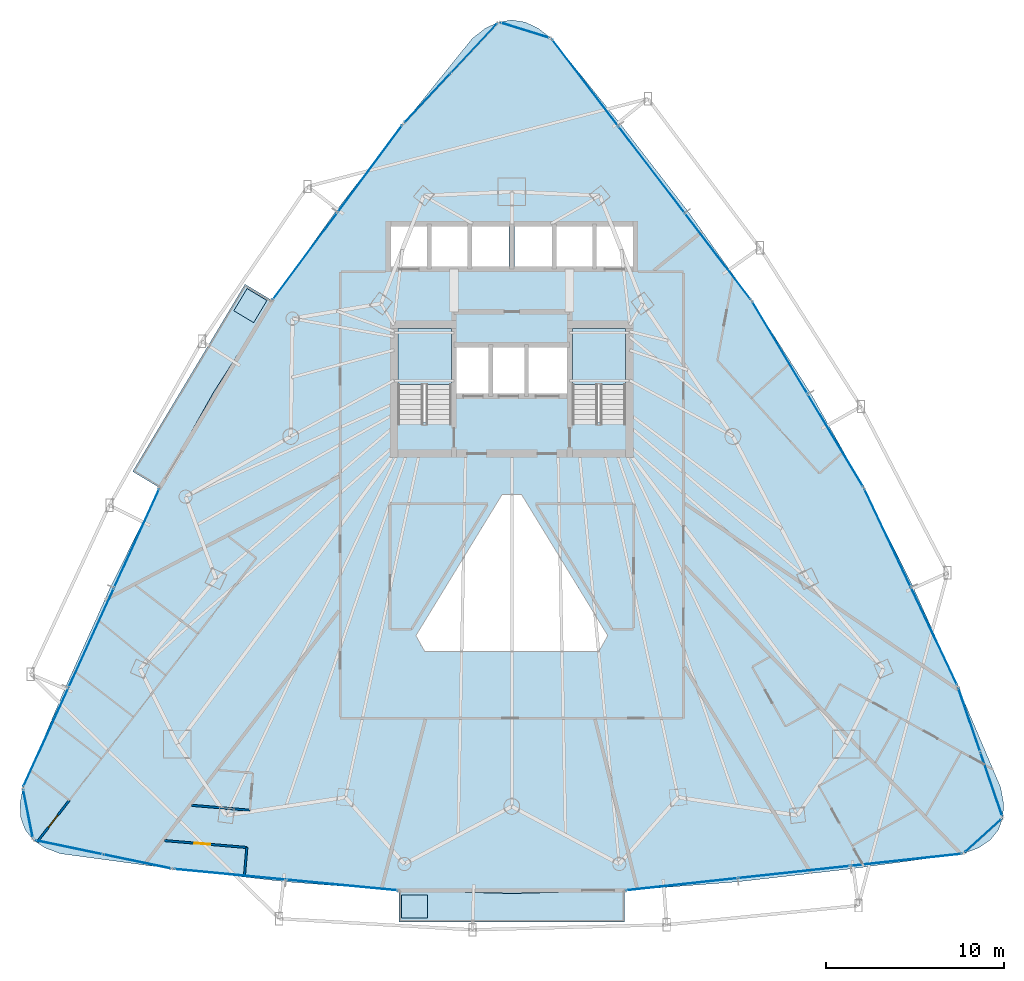
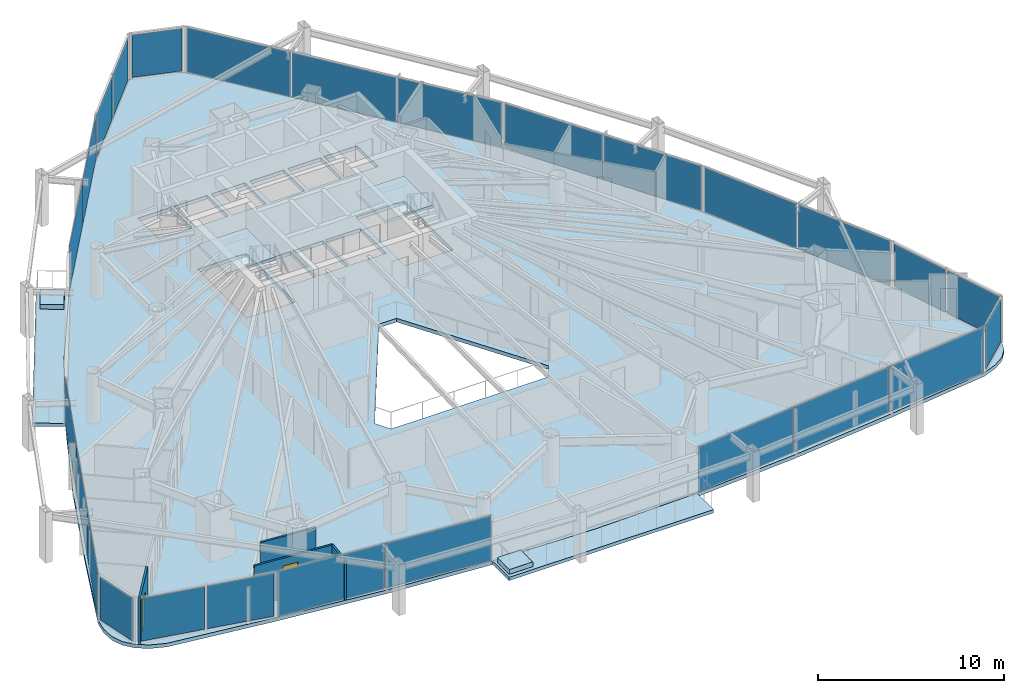
# One storey, part 28 of 34: 26 plates, 7 slabs, 4 walls, 2 doors, 2 openings, 15 elements without a shape of their own.
"""IFC4 building model written with IfcOpenShell, lengths in metres."""

from ifc_helpers import new_model, si_unit, direction, frame, frame_2d, origin, origin_2d, place, context, subcontext, project, spatial, polyline, rectangle, outline, extrude, material, layer, layer_set, type_object, element, fill, aggregate, save


model = new_model("IFC4")

# Units and contexts
model_context = context("Model", 3, precision=1e-05, world=origin(), true_north=direction((0.0, 1.0)))
body_context = subcontext(model_context, "Body", "Model", "MODEL_VIEW")
ifc_project = project(units=[si_unit("LENGTHUNIT", "METRE"), si_unit("AREAUNIT", "SQUARE_METRE"), si_unit("VOLUMEUNIT", "CUBIC_METRE"), si_unit("PLANEANGLEUNIT", "RADIAN"), si_unit("MASSUNIT", "GRAM", prefix="KILO")], contexts=[model_context])

# Site, building, storey
site_placement = place(None, origin())
site = spatial("IfcSite", under=ifc_project, at=site_placement, CompositionType="ELEMENT")
building_placement = place(site_placement, origin())
building = spatial("IfcBuilding", under=site, at=building_placement, Name="Orvanel Arch Residences", CompositionType="ELEMENT")
storey_placement = place(building_placement, frame((0.0, 0.0, 77.449951171875)))
storey = spatial("IfcBuildingStorey", under=building, at=storey_placement, Name="L21", CompositionType="ELEMENT", Elevation=77.449951171875)

# Curtain wall, plates
ifc_material_1 = material(Name="Bronze-anodised aluminium AA6063-T6", Category="aluminium")
ifc_layer_1 = layer(ifc_material_1, 0.179931640625)
ifc_layer_set_1 = layer_set([ifc_layer_1], Name="Bronze-anodised aluminium AA6063-T6")
curtain_wall_type_1 = type_object("IfcCurtainWallType", Name="CW2-LOW-SYS", PredefinedType="NOTDEFINED", material=ifc_layer_set_1)
curtain_wall_1_placement = place(storey_placement, origin())
curtain_wall_1 = element("IfcCurtainWall", 1, at=curtain_wall_1_placement, inside=storey, type_object=curtain_wall_type_1, Name="L21 CW2-LOW-SYS Unitised Curtain Wall", PredefinedType="NOTDEFINED")
ifc_material_2 = material(Name="Double-glazed solar-control low-E safety glass", Category="glass")
ifc_layer_2 = layer(ifc_material_2, 0.028076171875)
ifc_layer_set_2 = layer_set([ifc_layer_2], Name="Double-glazed solar-control low-E safety glass")
plate_type_1 = type_object("IfcPlateType", Name="PNL-GLZ-28", PredefinedType="CURTAIN_PANEL", material=ifc_layer_set_2)
plate_1_placement = place(storey_placement, frame((25.026611328125, 42.693359375, 0.06005859375), z_axis=(0.0, 0.0, 1.0), x_axis=(-0.596168298343, -0.802859489606, 0.0)))
plate_1 = element("IfcPlate", 2, at=plate_1_placement, type_object=plate_type_1, Name="CW-S2 panel 1.1", PredefinedType="CURTAIN_PANEL", context=body_context, shape_type="SweptSolid", body=[
    extrude(rectangle(XDim=6.044189453125, YDim=0.028076171875, at=origin_2d()), origin(), (0.0, 0.0, 1.0), 2.93994140625),
])
plate_2_placement = place(storey_placement, frame((21.38134765625, 37.78466796875, 0.06005859375), z_axis=(0.0, 0.0, 1.0), x_axis=(-0.596168298343, -0.802859489606, 0.0)))
plate_2 = element("IfcPlate", 3, at=plate_2_placement, type_object=plate_type_1, Name="CW-S2 panel 2.1", PredefinedType="CURTAIN_PANEL", context=body_context, shape_type="SweptSolid", body=[
    extrude(rectangle(XDim=6.044189453125, YDim=0.028076171875, at=origin_2d()), origin(), (0.0, 0.0, 1.0), 2.93994140625),
])
aggregate(curtain_wall_1, [plate_1, plate_2])

curtain_wall_2_placement = place(storey_placement, origin())
curtain_wall_2 = element("IfcCurtainWall", 4, at=curtain_wall_2_placement, inside=storey, type_object=curtain_wall_type_1, Name="L21 CW2-LOW-SYS Unitised Curtain Wall", PredefinedType="NOTDEFINED")
plate_3_placement = place(storey_placement, frame((11.9140625, 21.91796875, 0.06005859375), z_axis=(0.0, 0.0, 1.0), x_axis=(-0.415447967434, -0.909616944848, 0.0)))
plate_3 = element("IfcPlate", 5, at=plate_3_placement, type_object=plate_type_1, Name="CW-S2 panel 1.1", PredefinedType="CURTAIN_PANEL", context=body_context, shape_type="SweptSolid", body=[
    extrude(rectangle(XDim=6.060302734375, YDim=0.028076171875, at=origin_2d()), origin(), (0.0, 0.0, 1.0), 2.93994140625),
])
plate_4_placement = place(storey_placement, frame((9.360107421875, 16.325927734375, 0.06005859375), z_axis=(0.0, 0.0, 1.0), x_axis=(-0.415447967434, -0.909616944848, 0.0)))
plate_4 = element("IfcPlate", 6, at=plate_4_placement, type_object=plate_type_1, Name="CW-S2 panel 2.1", PredefinedType="CURTAIN_PANEL", context=body_context, shape_type="SweptSolid", body=[
    extrude(rectangle(XDim=6.09521484375, YDim=0.028076171875, at=origin_2d()), origin(), (0.0, 0.0, 1.0), 2.93994140625),
])
plate_5_placement = place(storey_placement, frame((6.805908203125, 10.73388671875, 0.06005859375), z_axis=(0.0, 0.0, 1.0), x_axis=(-0.415447967434, -0.909616944848, 0.0)))
plate_5 = element("IfcPlate", 7, at=plate_5_placement, type_object=plate_type_1, Name="CW-S2 panel 3.1", PredefinedType="CURTAIN_PANEL", context=body_context, shape_type="SweptSolid", body=[
    extrude(rectangle(XDim=6.060302734375, YDim=0.028076171875, at=origin_2d()), origin(), (0.0, 0.0, 1.0), 2.93994140625),
])
aggregate(curtain_wall_2, [plate_3, plate_4, plate_5])

curtain_wall_3_placement = place(storey_placement, origin())
curtain_wall_3 = element("IfcCurtainWall", 8, at=curtain_wall_3_placement, inside=storey, type_object=curtain_wall_type_1, Name="L21 CW2-LOW-SYS Unitised Curtain Wall", PredefinedType="NOTDEFINED")
plate_6_placement = place(storey_placement, frame((17.158203125, 3.0244140625, 0.06005859375), z_axis=(0.0, 0.0, 1.0), x_axis=(0.995474944009, -0.095024396079, 0.0)))
plate_6 = element("IfcPlate", 9, at=plate_6_placement, type_object=plate_type_1, Name="CW-S2 panel 1.1", PredefinedType="CURTAIN_PANEL", context=body_context, shape_type="SweptSolid", body=[
    extrude(rectangle(XDim=6.251220703125, YDim=0.028076171875, at=origin_2d()), origin(), (0.0, 0.0, 1.0), 2.93994140625),
])
plate_7_placement = place(storey_placement, frame((23.450927734375, 2.423583984375, 0.06005859375), z_axis=(0.0, 0.0, 1.0), x_axis=(0.995474944009, -0.095024396079, 0.0)))
plate_7 = element("IfcPlate", 10, at=plate_7_placement, type_object=plate_type_1, Name="CW-S2 panel 2.1", PredefinedType="CURTAIN_PANEL", context=body_context, shape_type="SweptSolid", body=[
    extrude(rectangle(XDim=6.251220703125, YDim=0.028076171875, at=origin_2d()), origin(), (0.0, 0.0, 1.0), 2.93994140625),
])
aggregate(curtain_wall_3, [plate_6, plate_7])

curtain_wall_4_placement = place(storey_placement, origin())
curtain_wall_4 = element("IfcCurtainWall", 11, at=curtain_wall_4_placement, inside=storey, type_object=curtain_wall_type_1, Name="L21 CW2-LOW-SYS Unitised Curtain Wall", PredefinedType="NOTDEFINED")
plate_8_placement = place(storey_placement, frame((42.551513671875, 2.46630859375, 0.06005859375), z_axis=(0.0, 0.0, 1.0), x_axis=(0.994141897131, 0.10808278479, 0.0)))
plate_8 = element("IfcPlate", 12, at=plate_8_placement, type_object=plate_type_1, Name="CW-S2 panel 1.1", PredefinedType="CURTAIN_PANEL", context=body_context, shape_type="SweptSolid", body=[
    extrude(rectangle(XDim=6.2666015625, YDim=0.028076171875, at=origin_2d()), origin(), (0.0, 0.0, 1.0), 2.93994140625),
])
plate_9_placement = place(storey_placement, frame((48.868408203125, 3.153076171875, 0.06005859375), z_axis=(0.0, 0.0, 1.0), x_axis=(0.994141897131, 0.10808278479, 0.0)))
plate_9 = element("IfcPlate", 13, at=plate_9_placement, type_object=plate_type_1, Name="CW-S2 panel 2.1", PredefinedType="CURTAIN_PANEL", context=body_context, shape_type="SweptSolid", body=[
    extrude(rectangle(XDim=6.3017578125, YDim=0.028076171875, at=origin_2d()), origin(), (0.0, 0.0, 1.0), 2.93994140625),
])
plate_10_placement = place(storey_placement, frame((55.185546875, 3.83984375, 0.06005859375), z_axis=(0.0, 0.0, 1.0), x_axis=(0.994141897131, 0.10808278479, 0.0)))
plate_10 = element("IfcPlate", 14, at=plate_10_placement, type_object=plate_type_1, Name="CW-S2 panel 3.1", PredefinedType="CURTAIN_PANEL", context=body_context, shape_type="SweptSolid", body=[
    extrude(rectangle(XDim=6.2666015625, YDim=0.028076171875, at=origin_2d()), origin(), (0.0, 0.0, 1.0), 2.93994140625),
])
aggregate(curtain_wall_4, [plate_8, plate_9, plate_10])

curtain_wall_5_placement = place(storey_placement, origin())
curtain_wall_5 = element("IfcCurtainWall", 15, at=curtain_wall_5_placement, inside=storey, type_object=curtain_wall_type_1, Name="L21 CW2-LOW-SYS Unitised Curtain Wall", PredefinedType="NOTDEFINED")
plate_11_placement = place(storey_placement, frame((56.73583984375, 16.415283203125, 0.06005859375), z_axis=(0.0, 0.0, 1.0), x_axis=(-0.427593472426, 0.903971140213, 0.0)))
plate_11 = element("IfcPlate", 16, at=plate_11_placement, type_object=plate_type_1, Name="CW-S2 panel 1.1", PredefinedType="CURTAIN_PANEL", context=body_context, shape_type="SweptSolid", body=[
    extrude(rectangle(XDim=6.04443359375, YDim=0.028076171875, at=origin_2d()), origin(), (0.0, 0.0, 1.0), 2.93994140625),
])
plate_12_placement = place(storey_placement, frame((54.121337890625, 21.942626953125, 0.06005859375), z_axis=(0.0, 0.0, 1.0), x_axis=(-0.427593472426, 0.903971140213, 0.0)))
plate_12 = element("IfcPlate", 17, at=plate_12_placement, type_object=plate_type_1, Name="CW-S2 panel 2.1", PredefinedType="CURTAIN_PANEL", context=body_context, shape_type="SweptSolid", body=[
    extrude(rectangle(XDim=6.04443359375, YDim=0.028076171875, at=origin_2d()), origin(), (0.0, 0.0, 1.0), 2.93994140625),
])
aggregate(curtain_wall_5, [plate_11, plate_12])

curtain_wall_6_placement = place(storey_placement, origin())
curtain_wall_6 = element("IfcCurtainWall", 18, at=curtain_wall_6_placement, inside=storey, type_object=curtain_wall_type_1, Name="L21 CW2-LOW-SYS Unitised Curtain Wall", PredefinedType="NOTDEFINED")
plate_13_placement = place(storey_placement, frame((51.197021484375, 27.412109375, 0.06005859375), z_axis=(0.0, 0.0, 1.0), x_axis=(-0.514399631471, 0.85755059276, 0.0)))
plate_13 = element("IfcPlate", 19, at=plate_13_placement, type_object=plate_type_1, Name="CW-S2 panel 1.1", PredefinedType="CURTAIN_PANEL", context=body_context, shape_type="SweptSolid", body=[
    extrude(rectangle(XDim=6.0146484375, YDim=0.028076171875, at=origin_2d()), origin(), (0.0, 0.0, 1.0), 2.93994140625),
])
plate_14_placement = place(storey_placement, frame((48.06689453125, 32.6298828125, 0.06005859375), z_axis=(0.0, 0.0, 1.0), x_axis=(-0.514399631471, 0.85755059276, 0.0)))
plate_14 = element("IfcPlate", 20, at=plate_14_placement, type_object=plate_type_1, Name="CW-S2 panel 2.1", PredefinedType="CURTAIN_PANEL", context=body_context, shape_type="SweptSolid", body=[
    extrude(rectangle(XDim=6.0146484375, YDim=0.028076171875, at=origin_2d()), origin(), (0.0, 0.0, 1.0), 2.93994140625),
])
aggregate(curtain_wall_6, [plate_13, plate_14])

curtain_wall_7_placement = place(storey_placement, origin())
curtain_wall_7 = element("IfcCurtainWall", 21, at=curtain_wall_7_placement, inside=storey, type_object=curtain_wall_type_1, Name="L21 CW2-LOW-SYS Unitised Curtain Wall", PredefinedType="NOTDEFINED")
plate_15_placement = place(storey_placement, frame((44.58056640625, 37.765625, 0.06005859375), z_axis=(0.0, 0.0, 1.0), x_axis=(-0.606950241122, 0.794739834664, 0.0)))
plate_15 = element("IfcPlate", 22, at=plate_15_placement, type_object=plate_type_1, Name="CW-S2 panel 1.1", PredefinedType="CURTAIN_PANEL", context=body_context, shape_type="SweptSolid", body=[
    extrude(rectangle(XDim=6.059814453125, YDim=0.028076171875, at=origin_2d()), origin(), (0.0, 0.0, 1.0), 2.93994140625),
])
plate_16_placement = place(storey_placement, frame((40.849609375, 42.65087890625, 0.06005859375), z_axis=(0.0, 0.0, 1.0), x_axis=(-0.606950241122, 0.794739834664, 0.0)))
plate_16 = element("IfcPlate", 23, at=plate_16_placement, type_object=plate_type_1, Name="CW-S2 panel 2.1", PredefinedType="CURTAIN_PANEL", context=body_context, shape_type="SweptSolid", body=[
    extrude(rectangle(XDim=6.0947265625, YDim=0.028076171875, at=origin_2d()), origin(), (0.0, 0.0, 1.0), 2.93994140625),
])
plate_17_placement = place(storey_placement, frame((37.118408203125, 47.536376953125, 0.06005859375), z_axis=(0.0, 0.0, 1.0), x_axis=(-0.606950241122, 0.794739834664, 0.0)))
plate_17 = element("IfcPlate", 24, at=plate_17_placement, type_object=plate_type_1, Name="CW-S2 panel 3.1", PredefinedType="CURTAIN_PANEL", context=body_context, shape_type="SweptSolid", body=[
    extrude(rectangle(XDim=6.059814453125, YDim=0.028076171875, at=origin_2d()), origin(), (0.0, 0.0, 1.0), 2.93994140625),
])
aggregate(curtain_wall_7, [plate_15, plate_16, plate_17])

# Curtain wall, plate
ifc_layer_3 = layer(ifc_material_1, 0.18994140625)
ifc_layer_set_3 = layer_set([ifc_layer_3], Name="Bronze-anodised aluminium AA6063-T6")
curtain_wall_type_2 = type_object("IfcCurtainWallType", Name="CW5-CRN-SYS", PredefinedType="NOTDEFINED", material=ifc_layer_set_3)
curtain_wall_8_placement = place(storey_placement, origin())
curtain_wall_8 = element("IfcCurtainWall", 25, at=curtain_wall_8_placement, inside=storey, type_object=curtain_wall_type_2, Name="L21 CW5-CRN-SYS Unitised Curtain Wall", PredefinedType="NOTDEFINED")
ifc_layer_4 = layer(ifc_material_2, 0.031982421875)
ifc_layer_set_4 = layer_set([ifc_layer_4], Name="Double-glazed solar-control low-E safety glass")
plate_type_2 = type_object("IfcPlateType", Name="PNL-GLZ-32", PredefinedType="CURTAIN_PANEL", material=ifc_layer_set_4)
plate_18_placement = place(storey_placement, frame((33.741455078125, 50.4775390625, 0.1298828125), z_axis=(0.0, 0.0, 1.0), x_axis=(-0.954879378397, 0.296993893392, 0.0)))
plate_18 = element("IfcPlate", 26, at=plate_18_placement, type_object=plate_type_2, Name="CW-S5 panel 1.1", PredefinedType="CURTAIN_PANEL", context=body_context, shape_type="SweptSolid", body=[
    extrude(rectangle(XDim=2.767333984375, YDim=0.031982421875, at=origin_2d()), origin(), (0.0, 0.0, 1.0), 2.800048828125),
])
aggregate(curtain_wall_8, [plate_18])

# Curtain wall, plates
curtain_wall_9_placement = place(storey_placement, origin())
curtain_wall_9 = element("IfcCurtainWall", 27, at=curtain_wall_9_placement, inside=storey, type_object=curtain_wall_type_2, Name="L21 CW5-CRN-SYS Unitised Curtain Wall", PredefinedType="NOTDEFINED")
plate_19_placement = place(storey_placement, frame((30.88134765625, 49.46728515625, 0.1298828125), z_axis=(0.0, 0.0, 1.0), x_axis=(-0.683146141191, -0.730281692072, 0.0)))
plate_19 = element("IfcPlate", 28, at=plate_19_placement, type_object=plate_type_2, Name="CW-S5 panel 1.1", PredefinedType="CURTAIN_PANEL", context=body_context, shape_type="SweptSolid", body=[
    extrude(rectangle(XDim=3.689208984375, YDim=0.031982421875, at=origin_2d()), origin(), (0.0, 0.0, 1.0), 2.800048828125),
])
plate_20_placement = place(storey_placement, frame((28.258544921875, 46.66357421875, 0.1298828125), z_axis=(0.0, 0.0, 1.0), x_axis=(-0.683146141191, -0.730281692072, 0.0)))
plate_20 = element("IfcPlate", 29, at=plate_20_placement, type_object=plate_type_2, Name="CW-S5 panel 2.1", PredefinedType="CURTAIN_PANEL", context=body_context, shape_type="SweptSolid", body=[
    extrude(rectangle(XDim=3.689208984375, YDim=0.031982421875, at=origin_2d()), origin(), (0.0, 0.0, 1.0), 2.800048828125),
])
aggregate(curtain_wall_9, [plate_19, plate_20])

# Curtain wall, plate
curtain_wall_10_placement = place(storey_placement, origin())
curtain_wall_10 = element("IfcCurtainWall", 30, at=curtain_wall_10_placement, inside=storey, type_object=curtain_wall_type_2, Name="L21 CW5-CRN-SYS Unitised Curtain Wall", PredefinedType="NOTDEFINED")
plate_21_placement = place(storey_placement, frame((5.802490234375, 6.428955078125, 0.1298828125), z_axis=(0.0, 0.0, 1.0), x_axis=(0.19552958949, -0.980697802401, 0.0)))
plate_21 = element("IfcPlate", 31, at=plate_21_placement, type_object=plate_type_2, Name="CW-S5 panel 1.1", PredefinedType="CURTAIN_PANEL", context=body_context, shape_type="SweptSolid", body=[
    extrude(rectangle(XDim=2.65087890625, YDim=0.031982421875, at=origin_2d()), origin(), (0.0, 0.0, 1.0), 2.800048828125),
])
aggregate(curtain_wall_10, [plate_21])

# Curtain wall, plates
curtain_wall_11_placement = place(storey_placement, origin())
curtain_wall_11 = element("IfcCurtainWall", 32, at=curtain_wall_11_placement, inside=storey, type_object=curtain_wall_type_2, Name="L21 CW5-CRN-SYS Unitised Curtain Wall", PredefinedType="NOTDEFINED")
plate_22_placement = place(storey_placement, frame((8.107177734375, 4.54443359375, 0.1298828125), z_axis=(0.0, 0.0, 1.0), x_axis=(0.97911973689, -0.203284384132, 0.0)))
plate_22 = element("IfcPlate", 33, at=plate_22_placement, type_object=plate_type_2, Name="CW-S5 panel 1.1", PredefinedType="CURTAIN_PANEL", context=body_context, shape_type="SweptSolid", body=[
    extrude(rectangle(XDim=3.769287109375, YDim=0.031982421875, at=origin_2d()), origin(), (0.0, 0.0, 1.0), 2.800048828125),
])
plate_23_placement = place(storey_placement, frame((11.94482421875, 3.74755859375, 0.1298828125), z_axis=(0.0, 0.0, 1.0), x_axis=(0.97911973689, -0.203284384132, 0.0)))
plate_23 = element("IfcPlate", 34, at=plate_23_placement, type_object=plate_type_2, Name="CW-S5 panel 2.1", PredefinedType="CURTAIN_PANEL", context=body_context, shape_type="SweptSolid", body=[
    extrude(rectangle(XDim=3.769287109375, YDim=0.031982421875, at=origin_2d()), origin(), (0.0, 0.0, 1.0), 2.800048828125),
])
aggregate(curtain_wall_11, [plate_22, plate_23])

# Curtain wall, plate
curtain_wall_12_placement = place(storey_placement, origin())
curtain_wall_12 = element("IfcCurtainWall", 35, at=curtain_wall_12_placement, inside=storey, type_object=curtain_wall_type_2, Name="L21 CW5-CRN-SYS Unitised Curtain Wall", PredefinedType="NOTDEFINED")
plate_24_placement = place(storey_placement, frame((59.49755859375, 5.193603515625, 0.1298828125), z_axis=(0.0, 0.0, 1.0), x_axis=(0.740169951357, 0.6724198414, 0.0)))
plate_24 = element("IfcPlate", 36, at=plate_24_placement, type_object=plate_type_2, Name="CW-S5 panel 1.1", PredefinedType="CURTAIN_PANEL", context=body_context, shape_type="SweptSolid", body=[
    extrude(rectangle(XDim=2.652099609375, YDim=0.031982421875, at=origin_2d()), origin(), (0.0, 0.0, 1.0), 2.800048828125),
])
aggregate(curtain_wall_12, [plate_24])

# Curtain wall, plates
curtain_wall_13_placement = place(storey_placement, origin())
curtain_wall_13 = element("IfcCurtainWall", 37, at=curtain_wall_13_placement, inside=storey, type_object=curtain_wall_type_2, Name="L21 CW5-CRN-SYS Unitised Curtain Wall", PredefinedType="NOTDEFINED")
plate_25_placement = place(storey_placement, frame((59.955322265625, 8.0947265625, 0.1298828125), z_axis=(0.0, 0.0, 1.0), x_axis=(-0.324422828844, 0.945912167236, 0.0)))
plate_25 = element("IfcPlate", 38, at=plate_25_placement, type_object=plate_type_2, Name="CW-S5 panel 1.1", PredefinedType="CURTAIN_PANEL", context=body_context, shape_type="SweptSolid", body=[
    extrude(rectangle(XDim=3.66796875, YDim=0.031982421875, at=origin_2d()), origin(), (0.0, 0.0, 1.0), 2.800048828125),
])
plate_26_placement = place(storey_placement, frame((58.716552734375, 11.706298828125, 0.1298828125), z_axis=(0.0, 0.0, 1.0), x_axis=(-0.324422828844, 0.945912167236, 0.0)))
plate_26 = element("IfcPlate", 39, at=plate_26_placement, type_object=plate_type_2, Name="CW-S5 panel 2.1", PredefinedType="CURTAIN_PANEL", context=body_context, shape_type="SweptSolid", body=[
    extrude(rectangle(XDim=3.66796875, YDim=0.031982421875, at=origin_2d()), origin(), (0.0, 0.0, 1.0), 2.800048828125),
])
aggregate(curtain_wall_13, [plate_25, plate_26])

# Slabs
ifc_material_3 = material(Name="Concrete N40 (40 MPa)", Category="concrete")
ifc_layer_5 = layer(ifc_material_3, 0.215087890625)
ifc_layer_set_5 = layer_set([ifc_layer_5], Name="Concrete N40 (40 MPa)")
slab_type_1 = type_object("IfcSlabType", Name="SLB-BAL-215", PredefinedType="FLOOR", material=ifc_layer_set_5)
slab_1_placement = place(storey_placement, frame((0.0, 0.0, -0.21484375)))
element("IfcSlab", 40, at=slab_1_placement, inside=storey, type_object=slab_type_1, Name="L21 Cantilevered Balcony Slab Face 1", PredefinedType="FLOOR", context=body_context, shape_type="SweptSolid", body=[
    extrude(outline(polyline([(18.0, 36.200927734375), (11.68310546875, 25.6708984375), (13.2099609375, 24.756103515625), (16.221923828125, 30.10791015625), (19.52587890625, 35.285888671875), (18.0, 36.200927734375)])), origin(), (0.0, 0.0, 1.0), 0.21484375),
])
slab_2_placement = place(storey_placement, frame((0.0, 0.0, -0.21484375)))
element("IfcSlab", 41, at=slab_2_placement, inside=storey, type_object=slab_type_1, Name="L21 Cantilevered Balcony Slab Face 2", PredefinedType="FLOOR", context=body_context, shape_type="SweptSolid", body=[
    extrude(outline(polyline([(26.652099609375, 0.337890625), (39.346923828125, 0.337890625), (39.346923828125, 2.117919921875), (33.0, 1.947998046875), (26.652099609375, 2.117919921875), (26.652099609375, 0.337890625)])), origin(), (0.0, 0.0, 1.0), 0.21484375),
])

# Stair, slab
ifc_material_4 = material(Name="Precast concrete N50 (50 MPa)", Category="concrete")
stair_type = type_object("IfcStairType", Name="STR-DOG-184", PredefinedType="USERDEFINED", material=ifc_material_4)
stair_1_placement = place(storey_placement, origin())
stair_1 = element("IfcStair", 42, at=stair_1_placement, inside=storey, type_object=stair_type, Name="L21 Fire-Isolated Core Exit Stair 1", ObjectType="TWO_RETURN_STAIR", PredefinedType="USERDEFINED")
ifc_layer_6 = layer(ifc_material_3, 0.199951171875)
ifc_layer_set_6 = layer_set([ifc_layer_6], Name="Concrete N40 (40 MPa)")
slab_type_2 = type_object("IfcSlabType", Name="SLB-LND-200", PredefinedType="LANDING", material=ifc_layer_set_6)
slab_3_placement = place(storey_placement, frame((0.0, 0.0, 1.449951171875)))
slab_3 = element("IfcSlab", 43, at=slab_3_placement, type_object=slab_type_2, Name="ST-1 landing 1", PredefinedType="LANDING", context=body_context, shape_type="SweptSolid", body=[
    extrude(outline(polyline([(29.60009765625, 30.56005859375), (29.60009765625, 33.699951171875), (26.60009765625, 33.699951171875), (26.60009765625, 30.56005859375), (29.60009765625, 30.56005859375)])), origin(), (0.0, 0.0, 1.0), 0.2001953125),
])
aggregate(stair_1, [slab_3])

stair_2_placement = place(storey_placement, origin())
stair_2 = element("IfcStair", 44, at=stair_2_placement, inside=storey, type_object=stair_type, Name="L21 Fire-Isolated Core Exit Stair 2", ObjectType="TWO_RETURN_STAIR", PredefinedType="USERDEFINED")
slab_4_placement = place(storey_placement, frame((0.0, 0.0, 1.449951171875)))
slab_4 = element("IfcSlab", 45, at=slab_4_placement, type_object=slab_type_2, Name="ST-2 landing 1", PredefinedType="LANDING", context=body_context, shape_type="SweptSolid", body=[
    extrude(outline(polyline([(39.39990234375, 30.56005859375), (39.39990234375, 33.699951171875), (36.39990234375, 33.699951171875), (36.39990234375, 30.56005859375), (39.39990234375, 30.56005859375)])), origin(), (0.0, 0.0, 1.0), 0.2001953125),
])
aggregate(stair_2, [slab_4])

# Slabs
ifc_material_5 = material(Name="Structural architectural precast concrete N40 (40 MPa) planter", Category="concrete")
ifc_layer_7 = layer(ifc_material_5, 0.320068359375)
ifc_layer_set_7 = layer_set([ifc_layer_7], Name="Structural architectural precast concrete N40 (40 MPa) planter")
slab_type_3 = type_object("IfcSlabType", Name="SLB-PLN-320", PredefinedType="USERDEFINED", material=ifc_layer_set_7)
slab_5_placement = place(storey_placement, origin())
element("IfcSlab", 46, at=slab_5_placement, inside=storey, type_object=slab_type_3, Name="L21 Balcony TREE PLANTER Face 1", ObjectType="PLANTER", PredefinedType="USERDEFINED", context=body_context, shape_type="SweptSolid", body=[
    extrude(outline(polyline([(18.1201171875, 35.9541015625), (17.3740234375, 34.7109375), (18.489013671875, 34.0419921875), (19.235107421875, 35.285888671875), (18.1201171875, 35.9541015625)])), origin(), (0.0, 0.0, 1.0), 0.320068359375),
])
slab_6_placement = place(storey_placement, origin())
element("IfcSlab", 47, at=slab_6_placement, inside=storey, type_object=slab_type_3, Name="L21 Balcony TREE PLANTER Face 2", ObjectType="PLANTER", PredefinedType="USERDEFINED", context=body_context, shape_type="SweptSolid", body=[
    extrude(outline(polyline([(26.802001953125, 0.568115234375), (28.2529296875, 0.568115234375), (28.2529296875, 1.867919921875), (26.802001953125, 1.867919921875), (26.802001953125, 0.568115234375)])), origin(), (0.0, 0.0, 1.0), 0.320068359375),
])
ifc_layer_8 = layer(ifc_material_3, 0.239990234375)
ifc_layer_set_8 = layer_set([ifc_layer_8], Name="Concrete N40 (40 MPa)")
slab_type_4 = type_object("IfcSlabType", Name="SLB-TYP-240", PredefinedType="FLOOR", material=ifc_layer_set_8)
slab_7_placement = place(storey_placement, frame((0.0, 0.0, -0.239990234375)))
element("IfcSlab", 48, at=slab_7_placement, inside=storey, type_object=slab_type_4, Name="L21 Tower Floor Slab", PredefinedType="FLOOR", context=body_context, shape_type="SweptSolid", body=[
    extrude(outline(polyline([(35.22509765625, 50.01611328125), (34.48291015625, 50.593017578125), (33.741943359375, 50.93896484375), (33.0, 51.054931640625), (32.258056640625, 50.93896484375), (31.51708984375, 50.593017578125), (30.77490234375, 50.01611328125), (26.882080078125, 45.19189453125), (23.10107421875, 40.301025390625), (19.52587890625, 35.285888671875), (16.221923828125, 30.10791015625), (13.2099609375, 24.756103515625), (10.468017578125, 19.240966796875), (7.93310546875, 13.60205078125), (5.510009765625, 7.89599609375), (5.35107421875, 6.989990234375), (5.39501953125, 6.198974609375), (5.64306640625, 5.52294921875), (6.094970703125, 4.9619140625), (6.7509765625, 4.51708984375), (7.610107421875, 4.18798828125), (13.95703125, 3.330078125), (20.304931640625, 2.60400390625), (26.652099609375, 2.117919921875), (33.0, 1.947998046875), (39.346923828125, 2.117919921875), (45.695068359375, 2.60400390625), (52.0419921875, 3.330078125), (58.389892578125, 4.18798828125), (59.2490234375, 4.51708984375), (59.905029296875, 4.9619140625), (60.35693359375, 5.52294921875), (60.60498046875, 6.198974609375), (60.64990234375, 6.989990234375), (60.489990234375, 7.89599609375), (58.06689453125, 13.60205078125), (55.531982421875, 19.240966796875), (52.7900390625, 24.756103515625), (49.778076171875, 30.10791015625), (46.47412109375, 35.285888671875), (42.89892578125, 40.301025390625), (39.117919921875, 45.19189453125), (35.22509765625, 50.01611328125)]), holes=[polyline([(26.60009765625, 28.429931640625), (26.60009765625, 33.699951171875), (29.60009765625, 33.699951171875), (29.60009765625, 28.429931640625), (26.60009765625, 28.429931640625)]), polyline([(36.39990234375, 28.429931640625), (36.39990234375, 33.699951171875), (39.39990234375, 33.699951171875), (39.39990234375, 28.429931640625), (36.39990234375, 28.429931640625)]), polyline([(29.89990234375, 32.64990234375), (31.75, 32.64990234375), (31.75, 29.949951171875), (29.89990234375, 29.949951171875), (29.89990234375, 32.64990234375)]), polyline([(31.89990234375, 32.64990234375), (33.75, 32.64990234375), (33.75, 29.949951171875), (31.89990234375, 29.949951171875), (31.89990234375, 32.64990234375)]), polyline([(33.89990234375, 32.64990234375), (36.10009765625, 32.64990234375), (36.10009765625, 29.949951171875), (33.89990234375, 29.949951171875), (33.89990234375, 32.64990234375)]), polyline([(26.199951171875, 39.449951171875), (28.25, 39.449951171875), (28.25, 37.199951171875), (26.199951171875, 37.199951171875), (26.199951171875, 39.449951171875)]), polyline([(37.75, 39.449951171875), (39.800048828125, 39.449951171875), (39.800048828125, 37.199951171875), (37.75, 37.199951171875), (37.75, 39.449951171875)]), polyline([(28.449951171875, 39.449951171875), (30.5, 39.449951171875), (30.5, 37.199951171875), (28.449951171875, 37.199951171875), (28.449951171875, 39.449951171875)]), polyline([(35.5, 39.449951171875), (37.550048828125, 39.449951171875), (37.550048828125, 37.199951171875), (35.5, 37.199951171875), (35.5, 39.449951171875)]), polyline([(30.75, 39.449951171875), (32.85009765625, 39.449951171875), (32.85009765625, 37.199951171875), (30.75, 37.199951171875), (30.75, 39.449951171875)]), polyline([(33.14990234375, 39.449951171875), (35.25, 39.449951171875), (35.25, 37.199951171875), (33.14990234375, 37.199951171875), (33.14990234375, 39.449951171875)]), polyline([(38.39599609375, 16.447998046875), (37.89501953125, 15.552978515625), (28.10498046875, 15.552978515625), (27.60400390625, 16.447998046875), (32.452880859375, 24.3798828125), (33.547119140625, 24.3798828125), (38.39599609375, 16.447998046875)])]), origin(), (0.0, 0.0, 1.0), 0.239990234375),
])

# Wall, opening, door
ifc_material_6 = material(Name="Acoustic plasterboard lined twin-stud partition", Category="gypsum")
ifc_layer_9 = layer(ifc_material_6, 0.1201171875)
ifc_layer_set_9 = layer_set([ifc_layer_9], Name="Acoustic plasterboard lined twin-stud partition")
wall_type = type_object("IfcWallType", Name="W-WET-120", PredefinedType="PARTITIONING", material=ifc_layer_set_9)
wall_1_placement = place(storey_placement, frame((6.306884765625, 4.8359375, 0.0), z_axis=(0.0, 0.0, 1.0), x_axis=(0.611279012709, 0.791415168304, 0.0)))
wall_1 = element("IfcWall", 49, at=wall_1_placement, inside=storey, type_object=wall_type, Name="L21 Flat B Internal Partition", PredefinedType="PARTITIONING", context=body_context, shape_type="SweptSolid", body=[
    extrude(rectangle(XDim=2.969482421875, YDim=0.1201171875, at=frame_2d((1.48486328125, 0.0))), origin(), (0.0, 0.0, 1.0), 3.06005859375),
])
opening_1_placement = place(wall_1_placement, frame((1.044921875, 0.0, 0.0)))
opening_1 = element("IfcOpeningElement", 50, at=opening_1_placement, cuts=wall_1, Name="Opening DI-088", PredefinedType="OPENING", context=body_context, shape_type="SweptSolid", body=[
    extrude(rectangle(XDim=0.8798828125, YDim=2.10009765625, at=frame_2d((0.43994140625, 1.050048828125))), frame((0.0, 0.070068359375, 0.0), z_axis=(0.0, -1.0, 0.0), x_axis=(1.0, 0.0, 0.0)), (0.0, 0.0, 1.0), 0.14013671875),
])
ifc_material_7 = material(Name="Solid-core European oak veneer fire door leaf", Category="wood")
door_type = type_object("IfcDoorType", Name="DR-INT-880", OperationType="NOTDEFINED", PredefinedType="DOOR", material=ifc_material_7)
door_1_placement = place(opening_1_placement, origin())
door_1 = element("IfcDoor", 51, at=door_1_placement, inside=storey, type_object=door_type, Name="DR-L21-B-KIT L21 Flat B Kitchen Door", OperationType="SINGLE_SWING_LEFT", OverallHeight=2.10009765625, OverallWidth=0.8798828125, PredefinedType="DOOR", context=body_context, shape_type="SweptSolid", body=[
    extrude(rectangle(XDim=0.8798828125, YDim=2.10009765625, at=frame_2d((0.43994140625, 1.050048828125))), frame((0.0, 0.02490234375, 0.0), z_axis=(0.0, -1.0, 0.0), x_axis=(1.0, 0.0, 0.0)), (0.0, 0.0, 1.0), 0.050048828125),
])
fill(opening_1, door_1)

# Walls
wall_2_placement = place(storey_placement, frame((15.0009765625, 6.904052734375, 0.0), z_axis=(0.0, 0.0, 1.0), x_axis=(0.996518569178, -0.083371105803, 0.0)))
element("IfcWall", 52, at=wall_2_placement, inside=storey, type_object=wall_type, Name="L21 Studio D Bathroom Partition", PredefinedType="PARTITIONING", context=body_context, shape_type="SweptSolid", body=[
    extrude(rectangle(XDim=3.28857421875, YDim=0.1201171875, at=frame_2d((1.644287109375, 0.0))), origin(), (0.0, 0.0, 1.0), 2.4130859375),
])
wall_3_placement = place(storey_placement, frame((17.965087890625, 2.886962890625, 0.0), z_axis=(0.0, 0.0, 1.0), x_axis=(0.083412008543, 0.996515146313, 0.0)))
element("IfcWall", 53, at=wall_3_placement, inside=storey, type_object=wall_type, Name="L21 Studio D Internal Partition", PredefinedType="PARTITIONING", context=body_context, shape_type="SweptSolid", body=[
    extrude(rectangle(XDim=1.65380859375, YDim=0.1201171875, at=frame_2d((0.826904296875, 0.0))), origin(), (0.0, 0.0, 1.0), 2.619140625),
])

# Wall, opening, door
wall_4_placement = place(storey_placement, frame((18.10302734375, 4.534912109375, 0.0), z_axis=(0.0, 0.0, 1.0), x_axis=(-0.99650936218, 0.083481082211, 0.0)))
wall_4 = element("IfcWall", 54, at=wall_4_placement, inside=storey, type_object=wall_type, Name="L21 Studio D Internal Partition", PredefinedType="PARTITIONING", context=body_context, shape_type="SweptSolid", body=[
    extrude(rectangle(XDim=4.63818359375, YDim=0.1201171875, at=frame_2d((2.319091796875, 0.0))), origin(), (0.0, 0.0, 1.0), 2.619140625),
])
opening_2_placement = place(wall_4_placement, frame((2.073974609375, 0.0, 0.0)))
opening_2 = element("IfcOpeningElement", 55, at=opening_2_placement, cuts=wall_4, Name="Opening DI-088", PredefinedType="OPENING", context=body_context, shape_type="SweptSolid", body=[
    extrude(rectangle(XDim=0.8798828125, YDim=2.10009765625, at=frame_2d((0.43994140625, 1.050048828125))), frame((0.0, 0.070068359375, 0.0), z_axis=(0.0, -1.0, 0.0), x_axis=(1.0, 0.0, 0.0)), (0.0, 0.0, 1.0), 0.14013671875),
])
door_2_placement = place(opening_2_placement, origin())
door_2 = element("IfcDoor", 56, at=door_2_placement, inside=storey, type_object=door_type, Name="DR-L21-D-KIT L21 Studio D Kitchenette Door", OperationType="SINGLE_SWING_LEFT", OverallHeight=2.10009765625, OverallWidth=0.8798828125, PredefinedType="DOOR", context=body_context, shape_type="SweptSolid", body=[
    extrude(rectangle(XDim=0.8798828125, YDim=2.10009765625, at=frame_2d((0.43994140625, 1.050048828125))), frame((0.0, 0.02490234375, 0.0), z_axis=(0.0, -1.0, 0.0), x_axis=(1.0, 0.0, 0.0)), (0.0, 0.0, 1.0), 0.050048828125),
])
fill(opening_2, door_2)

save(model, "model.ifc")
